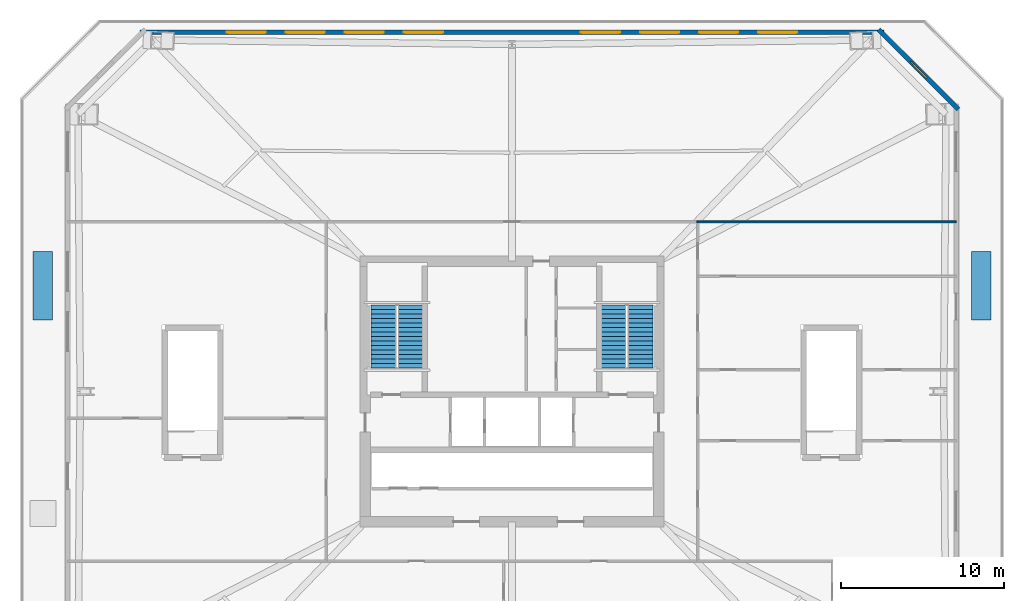
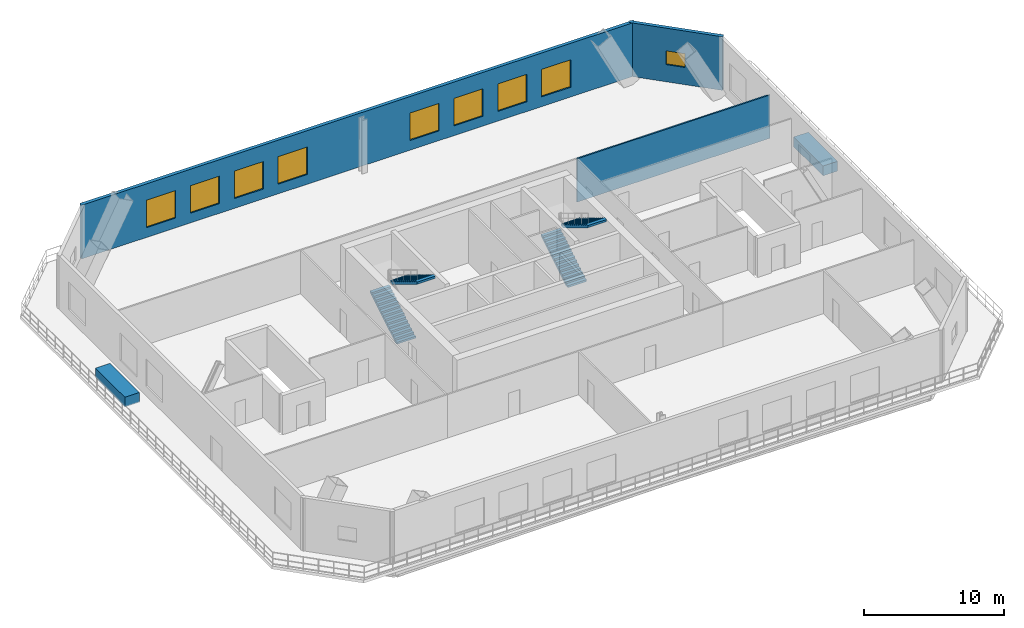
# One storey, part 5 of 7: 9 windows, 4 stair flights, 3 walls, 2 discrete accessories, 9 openings, 2 elements without a shape of their own.
"""IFC4 building model written with IfcOpenShell, lengths in metres."""

from ifc_helpers import new_model, si_unit, direction, frame, frame_2d, origin, origin_2d, place, context, subcontext, project, spatial, polyline, rectangle, outline, extrude, material, layer, layer_set, type_object, element, fill, aggregate, save


model = new_model("IFC4")

# Units and contexts
model_context = context("Model", 3, precision=1e-05, world=origin(), true_north=direction((0.0, 1.0)))
body_context = subcontext(model_context, "Body", "Model", "MODEL_VIEW")
ifc_project = project(units=[si_unit("LENGTHUNIT", "METRE"), si_unit("AREAUNIT", "SQUARE_METRE"), si_unit("VOLUMEUNIT", "CUBIC_METRE"), si_unit("PLANEANGLEUNIT", "RADIAN"), si_unit("MASSUNIT", "GRAM", prefix="KILO")], contexts=[model_context])

# Site, building, storey
site_placement = place(None, origin())
site = spatial("IfcSite", under=ifc_project, at=site_placement, CompositionType="ELEMENT")
building_placement = place(site_placement, origin())
building = spatial("IfcBuilding", under=site, at=building_placement, Name="Caelvoria Tower", CompositionType="ELEMENT")
storey_placement = place(building_placement, frame((0.0, 0.0, 23.0)))
storey = spatial("IfcBuildingStorey", under=building, at=storey_placement, Name="L05", CompositionType="ELEMENT", Elevation=23.0)

# Wall, opening, window
ifc_material_1 = material(Name="Precast Concrete C40/50 with Bronze Cladding", Category="concrete")
ifc_layer_1 = layer(ifc_material_1, 0.280029296875, Name="Precast Concrete C40/50 with Bronze Cladding")
ifc_layer_set_1 = layer_set([ifc_layer_1], Name="Exterior Precast Concrete C40/50 Bronze-Clad Facade Wall 280 - Precast Concrete C40/50 with Bronze Cladding")
wall_type_1 = type_object("IfcWallType", Name="Exterior Precast Concrete C40/50 Bronze-Clad Facade Wall 280", PredefinedType="STANDARD", material=ifc_layer_set_1)
wall_1_placement = place(storey_placement, frame((73.39990234375, 49.302001953125, 0.0), z_axis=(0.0, 0.0, 1.0), x_axis=(-0.707106781187, 0.707106781187, 0.0)))
wall_1 = element("IfcWall", 1, at=wall_1_placement, inside=storey, type_object=wall_type_1, Name="Exterior Facade Wall L05-E3", PredefinedType="STANDARD", context=body_context, shape_type="SweptSolid", body=[
    extrude(rectangle(XDim=6.9267578125, YDim=0.280029296875, at=frame_2d((3.46337890625, 0.0))), origin(), (0.0, 0.0, 1.0), 4.679931640625),
])
opening_1_placement = place(wall_1_placement, frame((2.763427734375, 0.0, 1.5)))
opening_1 = element("IfcOpeningElement", 2, at=opening_1_placement, cuts=wall_1, Name="Opening WN-06", PredefinedType="OPENING", context=body_context, shape_type="SweptSolid", body=[
    extrude(rectangle(XDim=1.39990234375, YDim=1.199951171875, at=frame_2d((0.699951171875, 0.60009765625))), frame((0.0, 0.14990234375, 0.0), z_axis=(0.0, -1.0, 0.0), x_axis=(1.0, 0.0, 0.0)), (0.0, 0.0, 1.0), 0.300048828125),
])
ifc_material_2 = material(Name="Low-E Tinted Glass in Bronze Aluminium Frame", Category="aluminium")
window_type_1 = type_object("IfcWindowType", Name="Podium Clerestory Window 1400x1200", PartitioningType="SINGLE_PANEL", PredefinedType="WINDOW", material=ifc_material_2)
window_1_placement = place(opening_1_placement, origin())
window_1 = element("IfcWindow", 3, at=window_1_placement, inside=storey, type_object=window_type_1, Name="Facade Window L05-E3-00", OverallHeight=1.199951171875, OverallWidth=1.39990234375, PartitioningType="SINGLE_PANEL", PredefinedType="WINDOW", context=body_context, shape_type="SweptSolid", body=[
    extrude(rectangle(XDim=1.39990234375, YDim=1.199951171875, at=frame_2d((0.699951171875, 0.60009765625))), frame((0.0, 0.030029296875, 0.0), z_axis=(0.0, -1.0, 0.0), x_axis=(1.0, 0.0, 0.0)), (0.0, 0.0, 1.0), 0.06005859375),
])
fill(opening_1, window_1)

# Wall, openings, windows
wall_2_placement = place(storey_placement, frame((68.840087890625, 54.06005859375, 0.0), z_axis=(0.0, 0.0, 1.0), x_axis=(-1.0, 0.0, 0.0)))
wall_2 = element("IfcWall", 4, at=wall_2_placement, inside=storey, type_object=wall_type_1, Name="Exterior Facade Wall L05-E4", PredefinedType="STANDARD", context=body_context, shape_type="SweptSolid", body=[
    extrude(rectangle(XDim=45.68017578125, YDim=0.280029296875, at=frame_2d((22.840087890625, 0.0))), origin(), (0.0, 0.0, 1.0), 4.679931640625),
])
opening_2_placement = place(wall_2_placement, frame((5.3349609375, 0.0, 0.85009765625)))
opening_2 = element("IfcOpeningElement", 5, at=opening_2_placement, cuts=wall_2, Name="Opening WN-04", PredefinedType="OPENING", context=body_context, shape_type="SweptSolid", body=[
    extrude(rectangle(XDim=2.39990234375, YDim=2.39990234375, at=frame_2d((1.199951171875, 1.199951171875))), frame((0.0, 0.14990234375, 0.0), z_axis=(0.0, -1.0, 0.0), x_axis=(1.0, 0.0, 0.0)), (0.0, 0.0, 1.0), 0.300048828125),
])
opening_3_placement = place(wall_2_placement, frame((8.958251953125, 0.0, 0.85009765625)))
opening_3 = element("IfcOpeningElement", 6, at=opening_3_placement, cuts=wall_2, Name="Opening WN-04", PredefinedType="OPENING", context=body_context, shape_type="SweptSolid", body=[
    extrude(rectangle(XDim=2.39990234375, YDim=2.39990234375, at=frame_2d((1.199951171875, 1.199951171875))), frame((0.0, 0.14990234375, 0.0), z_axis=(0.0, -1.0, 0.0), x_axis=(1.0, 0.0, 0.0)), (0.0, 0.0, 1.0), 0.300048828125),
])
opening_4_placement = place(wall_2_placement, frame((12.581787109375, 0.0, 0.85009765625)))
opening_4 = element("IfcOpeningElement", 7, at=opening_4_placement, cuts=wall_2, Name="Opening WN-04", PredefinedType="OPENING", context=body_context, shape_type="SweptSolid", body=[
    extrude(rectangle(XDim=2.39990234375, YDim=2.39990234375, at=frame_2d((1.199951171875, 1.199951171875))), frame((0.0, 0.14990234375, 0.0), z_axis=(0.0, -1.0, 0.0), x_axis=(1.0, 0.0, 0.0)), (0.0, 0.0, 1.0), 0.300048828125),
])
opening_5_placement = place(wall_2_placement, frame((16.205078125, 0.0, 0.85009765625)))
opening_5 = element("IfcOpeningElement", 8, at=opening_5_placement, cuts=wall_2, Name="Opening WN-04", PredefinedType="OPENING", context=body_context, shape_type="SweptSolid", body=[
    extrude(rectangle(XDim=2.39990234375, YDim=2.39990234375, at=frame_2d((1.199951171875, 1.199951171875))), frame((0.0, 0.14990234375, 0.0), z_axis=(0.0, -1.0, 0.0), x_axis=(1.0, 0.0, 0.0)), (0.0, 0.0, 1.0), 0.300048828125),
])
opening_6_placement = place(wall_2_placement, frame((27.074951171875, 0.0, 0.85009765625)))
opening_6 = element("IfcOpeningElement", 9, at=opening_6_placement, cuts=wall_2, Name="Opening WN-04", PredefinedType="OPENING", context=body_context, shape_type="SweptSolid", body=[
    extrude(rectangle(XDim=2.39990234375, YDim=2.39990234375, at=frame_2d((1.199951171875, 1.199951171875))), frame((0.0, 0.14990234375, 0.0), z_axis=(0.0, -1.0, 0.0), x_axis=(1.0, 0.0, 0.0)), (0.0, 0.0, 1.0), 0.300048828125),
])
opening_7_placement = place(wall_2_placement, frame((30.6982421875, 0.0, 0.85009765625)))
opening_7 = element("IfcOpeningElement", 10, at=opening_7_placement, cuts=wall_2, Name="Opening WN-04", PredefinedType="OPENING", context=body_context, shape_type="SweptSolid", body=[
    extrude(rectangle(XDim=2.39990234375, YDim=2.39990234375, at=frame_2d((1.199951171875, 1.199951171875))), frame((0.0, 0.14990234375, 0.0), z_axis=(0.0, -1.0, 0.0), x_axis=(1.0, 0.0, 0.0)), (0.0, 0.0, 1.0), 0.300048828125),
])
opening_8_placement = place(wall_2_placement, frame((34.32177734375, 0.0, 0.85009765625)))
opening_8 = element("IfcOpeningElement", 11, at=opening_8_placement, cuts=wall_2, Name="Opening WN-04", PredefinedType="OPENING", context=body_context, shape_type="SweptSolid", body=[
    extrude(rectangle(XDim=2.39990234375, YDim=2.39990234375, at=frame_2d((1.199951171875, 1.199951171875))), frame((0.0, 0.14990234375, 0.0), z_axis=(0.0, -1.0, 0.0), x_axis=(1.0, 0.0, 0.0)), (0.0, 0.0, 1.0), 0.300048828125),
])
opening_9_placement = place(wall_2_placement, frame((37.945068359375, 0.0, 0.85009765625)))
opening_9 = element("IfcOpeningElement", 12, at=opening_9_placement, cuts=wall_2, Name="Opening WN-04", PredefinedType="OPENING", context=body_context, shape_type="SweptSolid", body=[
    extrude(rectangle(XDim=2.39990234375, YDim=2.39990234375, at=frame_2d((1.199951171875, 1.199951171875))), frame((0.0, 0.14990234375, 0.0), z_axis=(0.0, -1.0, 0.0), x_axis=(1.0, 0.0, 0.0)), (0.0, 0.0, 1.0), 0.300048828125),
])
window_type_2 = type_object("IfcWindowType", Name="Podium Commercial Ribbon Window 2400x2400", PartitioningType="SINGLE_PANEL", PredefinedType="WINDOW", material=ifc_material_2)
window_2_placement = place(opening_2_placement, origin())
window_2 = element("IfcWindow", 13, at=window_2_placement, inside=storey, type_object=window_type_2, Name="Facade Window L05-E4-01", OverallHeight=2.39990234375, OverallWidth=2.39990234375, PartitioningType="SINGLE_PANEL", PredefinedType="WINDOW", context=body_context, shape_type="SweptSolid", body=[
    extrude(rectangle(XDim=2.39990234375, YDim=2.39990234375, at=frame_2d((1.199951171875, 1.199951171875))), frame((0.0, 0.030029296875, 0.0), z_axis=(0.0, -1.0, 0.0), x_axis=(1.0, 0.0, 0.0)), (0.0, 0.0, 1.0), 0.06005859375),
])
fill(opening_2, window_2)
window_3_placement = place(opening_3_placement, origin())
window_3 = element("IfcWindow", 14, at=window_3_placement, inside=storey, type_object=window_type_2, Name="Facade Window L05-E4-02", OverallHeight=2.39990234375, OverallWidth=2.39990234375, PartitioningType="SINGLE_PANEL", PredefinedType="WINDOW", context=body_context, shape_type="SweptSolid", body=[
    extrude(rectangle(XDim=2.39990234375, YDim=2.39990234375, at=frame_2d((1.199951171875, 1.199951171875))), frame((0.0, 0.030029296875, 0.0), z_axis=(0.0, -1.0, 0.0), x_axis=(1.0, 0.0, 0.0)), (0.0, 0.0, 1.0), 0.06005859375),
])
fill(opening_3, window_3)
window_4_placement = place(opening_4_placement, origin())
window_4 = element("IfcWindow", 15, at=window_4_placement, inside=storey, type_object=window_type_2, Name="Facade Window L05-E4-03", OverallHeight=2.39990234375, OverallWidth=2.39990234375, PartitioningType="SINGLE_PANEL", PredefinedType="WINDOW", context=body_context, shape_type="SweptSolid", body=[
    extrude(rectangle(XDim=2.39990234375, YDim=2.39990234375, at=frame_2d((1.199951171875, 1.199951171875))), frame((0.0, 0.030029296875, 0.0), z_axis=(0.0, -1.0, 0.0), x_axis=(1.0, 0.0, 0.0)), (0.0, 0.0, 1.0), 0.06005859375),
])
fill(opening_4, window_4)
window_5_placement = place(opening_5_placement, origin())
window_5 = element("IfcWindow", 16, at=window_5_placement, inside=storey, type_object=window_type_2, Name="Facade Window L05-E4-04", OverallHeight=2.39990234375, OverallWidth=2.39990234375, PartitioningType="SINGLE_PANEL", PredefinedType="WINDOW", context=body_context, shape_type="SweptSolid", body=[
    extrude(rectangle(XDim=2.39990234375, YDim=2.39990234375, at=frame_2d((1.199951171875, 1.199951171875))), frame((0.0, 0.030029296875, 0.0), z_axis=(0.0, -1.0, 0.0), x_axis=(1.0, 0.0, 0.0)), (0.0, 0.0, 1.0), 0.06005859375),
])
fill(opening_5, window_5)
window_6_placement = place(opening_6_placement, origin())
window_6 = element("IfcWindow", 17, at=window_6_placement, inside=storey, type_object=window_type_2, Name="Facade Window L05-E4-07", OverallHeight=2.39990234375, OverallWidth=2.39990234375, PartitioningType="SINGLE_PANEL", PredefinedType="WINDOW", context=body_context, shape_type="SweptSolid", body=[
    extrude(rectangle(XDim=2.39990234375, YDim=2.39990234375, at=frame_2d((1.199951171875, 1.199951171875))), frame((0.0, 0.030029296875, 0.0), z_axis=(0.0, -1.0, 0.0), x_axis=(1.0, 0.0, 0.0)), (0.0, 0.0, 1.0), 0.06005859375),
])
fill(opening_6, window_6)
window_7_placement = place(opening_7_placement, origin())
window_7 = element("IfcWindow", 18, at=window_7_placement, inside=storey, type_object=window_type_2, Name="Facade Window L05-E4-08", OverallHeight=2.39990234375, OverallWidth=2.39990234375, PartitioningType="SINGLE_PANEL", PredefinedType="WINDOW", context=body_context, shape_type="SweptSolid", body=[
    extrude(rectangle(XDim=2.39990234375, YDim=2.39990234375, at=frame_2d((1.199951171875, 1.199951171875))), frame((0.0, 0.030029296875, 0.0), z_axis=(0.0, -1.0, 0.0), x_axis=(1.0, 0.0, 0.0)), (0.0, 0.0, 1.0), 0.06005859375),
])
fill(opening_7, window_7)
window_8_placement = place(opening_8_placement, origin())
window_8 = element("IfcWindow", 19, at=window_8_placement, inside=storey, type_object=window_type_2, Name="Facade Window L05-E4-09", OverallHeight=2.39990234375, OverallWidth=2.39990234375, PartitioningType="SINGLE_PANEL", PredefinedType="WINDOW", context=body_context, shape_type="SweptSolid", body=[
    extrude(rectangle(XDim=2.39990234375, YDim=2.39990234375, at=frame_2d((1.199951171875, 1.199951171875))), frame((0.0, 0.030029296875, 0.0), z_axis=(0.0, -1.0, 0.0), x_axis=(1.0, 0.0, 0.0)), (0.0, 0.0, 1.0), 0.06005859375),
])
fill(opening_8, window_8)
window_9_placement = place(opening_9_placement, origin())
window_9 = element("IfcWindow", 20, at=window_9_placement, inside=storey, type_object=window_type_2, Name="Facade Window L05-E4-10", OverallHeight=2.39990234375, OverallWidth=2.39990234375, PartitioningType="SINGLE_PANEL", PredefinedType="WINDOW", context=body_context, shape_type="SweptSolid", body=[
    extrude(rectangle(XDim=2.39990234375, YDim=2.39990234375, at=frame_2d((1.199951171875, 1.199951171875))), frame((0.0, 0.030029296875, 0.0), z_axis=(0.0, -1.0, 0.0), x_axis=(1.0, 0.0, 0.0)), (0.0, 0.0, 1.0), 0.06005859375),
])
fill(opening_9, window_9)

# Wall
ifc_material_3 = material(Name="Acoustic Gypsum Board on Light-Gauge Stud", Category="gypsum")
ifc_layer_2 = layer(ifc_material_3, 0.1201171875, Name="Acoustic Gypsum Board on Light-Gauge Stud")
ifc_layer_set_2 = layer_set([ifc_layer_2], Name="Tenant Suite Acoustic Partition Wall 120 - Acoustic Gypsum Board on Light-Gauge Stud")
wall_type_2 = type_object("IfcWallType", Name="Tenant Suite Acoustic Partition Wall 120", PredefinedType="PARTITIONING", material=ifc_layer_set_2)
wall_3_placement = place(storey_placement, frame((57.35009765625, 42.409912109375, 0.0), z_axis=(0.0, 0.0, 1.0), x_axis=(1.0, 0.0, 0.0)))
element("IfcWall", 21, at=wall_3_placement, inside=storey, type_object=wall_type_2, Name="Interior Partition IW-L05-BNE-0", PredefinedType="PARTITIONING", context=body_context, shape_type="SweptSolid", body=[
    extrude(rectangle(XDim=15.909912109375, YDim=0.1201171875, at=frame_2d((7.955078125, 0.0))), origin(), (0.0, 0.0, 1.0), 3.780029296875),
])

# Stair, stair flights
ifc_material_4 = material(Name="Concrete C40/50", Category="concrete")
stair_type = type_object("IfcStairType", Name="Core Smokeproof Dogleg Stair Concrete C40/50", PredefinedType="HALF_TURN_STAIR", material=ifc_material_4)
stair_1_placement = place(storey_placement, origin())
stair_1 = element("IfcStair", 22, at=stair_1_placement, inside=storey, type_object=stair_type, Name="ST-01 Smokeproof Exit Stair L05", PredefinedType="HALF_TURN_STAIR")
ifc_material_5 = material(Name="Precast Concrete C40/50", Category="concrete")
stair_flight_type = type_object("IfcStairFlightType", Name="Precast Concrete C40/50 Stair Flight 1480", PredefinedType="STRAIGHT", material=ifc_material_5)
stair_flight_1_placement = place(storey_placement, frame((38.1298828125, 33.449951171875, 0.0), z_axis=(0.0, 0.0, 1.0), x_axis=(0.0, 1.0, 0.0)))
stair_flight_1 = element("IfcStairFlight", 23, at=stair_flight_1_placement, type_object=stair_flight_type, Name="ST-01 flight 1", NumberOfRisers=15, NumberOfTreads=14, PredefinedType="STRAIGHT", RiserHeight=0.1667, TreadLength=0.275, context=body_context, shape_type="SweptSolid", body=[
    extrude(outline(polyline([(0.0, 0.0), (0.0, 0.166748046875), (0.27490234375, 0.166748046875), (0.27490234375, 0.33349609375), (0.550048828125, 0.33349609375), (0.550048828125, 0.5), (0.824951171875, 0.5), (0.824951171875, 0.666748046875), (1.10009765625, 0.666748046875), (1.10009765625, 0.83349609375), (1.375, 0.83349609375), (1.375, 1.000244140625), (1.64990234375, 1.000244140625), (1.64990234375, 1.1669921875), (1.925048828125, 1.1669921875), (1.925048828125, 1.33349609375), (2.199951171875, 1.33349609375), (2.199951171875, 1.500244140625), (2.47509765625, 1.500244140625), (2.47509765625, 1.6669921875), (2.75, 1.6669921875), (2.75, 1.833740234375), (3.02490234375, 1.833740234375), (3.02490234375, 2.00048828125), (3.300048828125, 2.00048828125), (3.300048828125, 2.1669921875), (3.574951171875, 2.1669921875), (3.574951171875, 2.333740234375), (3.85009765625, 2.333740234375), (3.85009765625, 2.50048828125), (3.85009765625, 2.146728515625), (0.30859375, 0.0), (0.0, 0.0)])), frame((0.0, 0.77001953125, 0.0), z_axis=(0.0, -1.0, 0.0), x_axis=(1.0, 0.0, 0.0)), (0.0, 0.0, 1.0), 1.5400390625),
])
stair_flight_2_placement = place(storey_placement, frame((39.77001953125, 37.300048828125, 2.5), z_axis=(0.0, 0.0, 1.0), x_axis=(0.0, -1.0, 0.0)))
stair_flight_2 = element("IfcStairFlight", 24, at=stair_flight_2_placement, type_object=stair_flight_type, Name="ST-01 flight 2", NumberOfRisers=15, NumberOfTreads=14, PredefinedType="STRAIGHT", RiserHeight=0.1667, TreadLength=0.275, context=body_context, shape_type="SweptSolid", body=[
    extrude(outline(polyline([(0.0, 0.0), (0.0, 0.166748046875), (0.27490234375, 0.166748046875), (0.27490234375, 0.33349609375), (0.550048828125, 0.33349609375), (0.550048828125, 0.5), (0.824951171875, 0.5), (0.824951171875, 0.666748046875), (1.10009765625, 0.666748046875), (1.10009765625, 0.83349609375), (1.375, 0.83349609375), (1.375, 1.000244140625), (1.64990234375, 1.000244140625), (1.64990234375, 1.1669921875), (1.925048828125, 1.1669921875), (1.925048828125, 1.33349609375), (2.199951171875, 1.33349609375), (2.199951171875, 1.500244140625), (2.47509765625, 1.500244140625), (2.47509765625, 1.6669921875), (2.75, 1.6669921875), (2.75, 1.833740234375), (3.02490234375, 1.833740234375), (3.02490234375, 2.00048828125), (3.300048828125, 2.00048828125), (3.300048828125, 2.1669921875), (3.574951171875, 2.1669921875), (3.574951171875, 2.333740234375), (3.85009765625, 2.333740234375), (3.85009765625, 2.50048828125), (3.85009765625, 2.146728515625), (0.30859375, 0.0), (0.0, 0.0)])), frame((0.0, 0.77001953125, 0.0), z_axis=(0.0, -1.0, 0.0), x_axis=(1.0, 0.0, 0.0)), (0.0, 0.0, 1.0), 1.5400390625),
])
aggregate(stair_1, [stair_flight_1, stair_flight_2])

stair_2_placement = place(storey_placement, origin())
stair_2 = element("IfcStair", 25, at=stair_2_placement, inside=storey, type_object=stair_type, Name="ST-02 Smokeproof Exit Stair L05", PredefinedType="HALF_TURN_STAIR")
stair_flight_3_placement = place(storey_placement, frame((52.22998046875, 33.449951171875, 0.0), z_axis=(0.0, 0.0, 1.0), x_axis=(0.0, 1.0, 0.0)))
stair_flight_3 = element("IfcStairFlight", 26, at=stair_flight_3_placement, type_object=stair_flight_type, Name="ST-02 flight 1", NumberOfRisers=15, NumberOfTreads=14, PredefinedType="STRAIGHT", RiserHeight=0.1667, TreadLength=0.275, context=body_context, shape_type="SweptSolid", body=[
    extrude(outline(polyline([(0.0, 0.0), (0.0, 0.166748046875), (0.27490234375, 0.166748046875), (0.27490234375, 0.33349609375), (0.550048828125, 0.33349609375), (0.550048828125, 0.5), (0.824951171875, 0.5), (0.824951171875, 0.666748046875), (1.10009765625, 0.666748046875), (1.10009765625, 0.83349609375), (1.375, 0.83349609375), (1.375, 1.000244140625), (1.64990234375, 1.000244140625), (1.64990234375, 1.1669921875), (1.925048828125, 1.1669921875), (1.925048828125, 1.33349609375), (2.199951171875, 1.33349609375), (2.199951171875, 1.500244140625), (2.47509765625, 1.500244140625), (2.47509765625, 1.6669921875), (2.75, 1.6669921875), (2.75, 1.833740234375), (3.02490234375, 1.833740234375), (3.02490234375, 2.00048828125), (3.300048828125, 2.00048828125), (3.300048828125, 2.1669921875), (3.574951171875, 2.1669921875), (3.574951171875, 2.333740234375), (3.85009765625, 2.333740234375), (3.85009765625, 2.50048828125), (3.85009765625, 2.146728515625), (0.30859375, 0.0), (0.0, 0.0)])), frame((0.0, 0.77001953125, 0.0), z_axis=(0.0, -1.0, 0.0), x_axis=(1.0, 0.0, 0.0)), (0.0, 0.0, 1.0), 1.5400390625),
])
stair_flight_4_placement = place(storey_placement, frame((53.8701171875, 37.300048828125, 2.5), z_axis=(0.0, 0.0, 1.0), x_axis=(0.0, -1.0, 0.0)))
stair_flight_4 = element("IfcStairFlight", 27, at=stair_flight_4_placement, type_object=stair_flight_type, Name="ST-02 flight 2", NumberOfRisers=15, NumberOfTreads=14, PredefinedType="STRAIGHT", RiserHeight=0.1667, TreadLength=0.275, context=body_context, shape_type="SweptSolid", body=[
    extrude(outline(polyline([(0.0, 0.0), (0.0, 0.166748046875), (0.27490234375, 0.166748046875), (0.27490234375, 0.33349609375), (0.550048828125, 0.33349609375), (0.550048828125, 0.5), (0.824951171875, 0.5), (0.824951171875, 0.666748046875), (1.10009765625, 0.666748046875), (1.10009765625, 0.83349609375), (1.375, 0.83349609375), (1.375, 1.000244140625), (1.64990234375, 1.000244140625), (1.64990234375, 1.1669921875), (1.925048828125, 1.1669921875), (1.925048828125, 1.33349609375), (2.199951171875, 1.33349609375), (2.199951171875, 1.500244140625), (2.47509765625, 1.500244140625), (2.47509765625, 1.6669921875), (2.75, 1.6669921875), (2.75, 1.833740234375), (3.02490234375, 1.833740234375), (3.02490234375, 2.00048828125), (3.300048828125, 2.00048828125), (3.300048828125, 2.1669921875), (3.574951171875, 2.1669921875), (3.574951171875, 2.333740234375), (3.85009765625, 2.333740234375), (3.85009765625, 2.50048828125), (3.85009765625, 2.146728515625), (0.30859375, 0.0), (0.0, 0.0)])), frame((0.0, 0.77001953125, 0.0), z_axis=(0.0, -1.0, 0.0), x_axis=(1.0, 0.0, 0.0)), (0.0, 0.0, 1.0), 1.5400390625),
])
aggregate(stair_2, [stair_flight_3, stair_flight_4])

# Discrete accessories
ifc_material_6 = material(Name="Bronze-Clad Concrete C40/50 Planter Vessel", Category="concrete")
discrete_accessory_type = type_object("IfcDiscreteAccessoryType", Name="Podium Terrace Garden Planter Bed PLANTER", PredefinedType="USERDEFINED", material=ifc_material_6)
for number, where, z_axis, x_axis, name in (
    (28, (17.199951171875, 38.5, 0.0), (0.0, 0.0, 1.0), (1.0, 0.0, 0.0), "Terrace Planted Bed L05-W"),
    (29, (74.800048828125, 38.5, 0.0), (0.0, 0.0, 1.0), (1.0, 0.0, 0.0), "Terrace Planted Bed L05-E"),
):
    element("IfcDiscreteAccessory", number, at=place(storey_placement, frame(where, z_axis=z_axis, x_axis=x_axis)), inside=storey, type_object=discrete_accessory_type, Name=name, ObjectType="PLANTER", PredefinedType="USERDEFINED", context=body_context, shape_type="SweptSolid", body=[
        extrude(rectangle(XDim=1.199951171875, YDim=4.199951171875, at=origin_2d()), origin(), (0.0, 0.0, 1.0), 0.85009765625),
    ])

save(model, "model.ifc")
